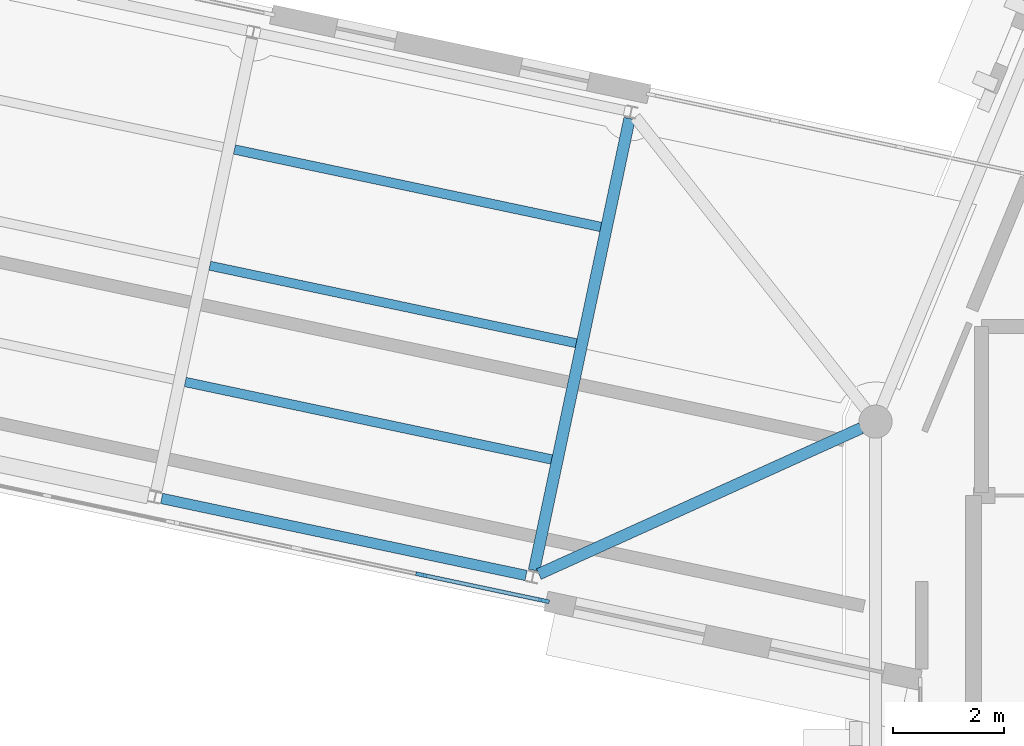
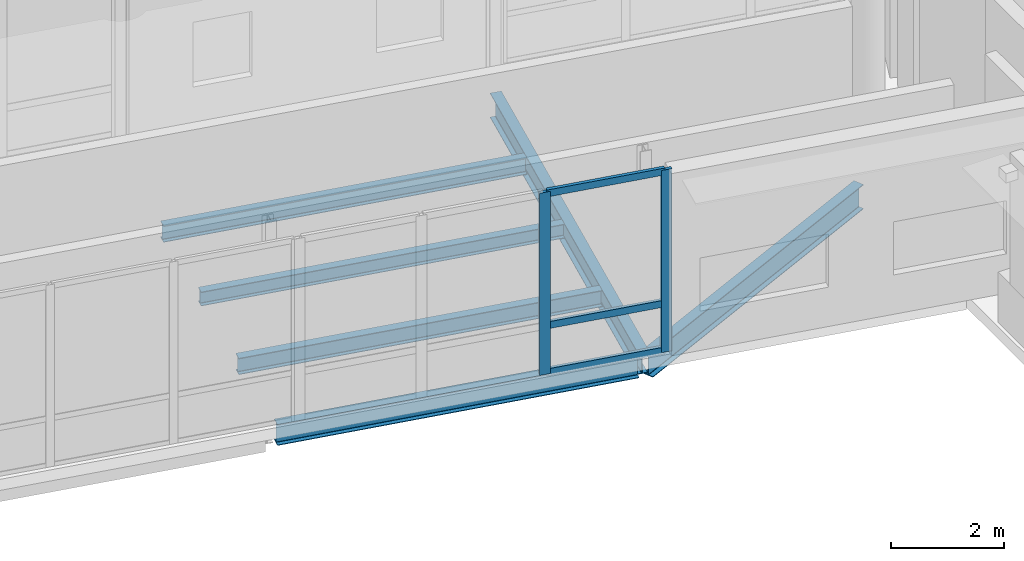
# One storey, part 35 of 125: 6 beams, 5 members, 1 element without a shape of its own.
"""IFC4 building model written with IfcOpenShell, lengths in metres."""

from ifc_helpers import new_model, si_unit, direction, frame, origin, origin_2d, place, context, subcontext, project, spatial, rectangle, i_section, extrude, material, material_profile, profile_set, type_object, element, aggregate, save


model = new_model("IFC4")

# Units and contexts
model_context = context("Model", 3, precision=1e-05, world=origin(), true_north=direction((0.0, 1.0)))
body_context = subcontext(model_context, "Body", "Model", "MODEL_VIEW")
ifc_project = project(units=[si_unit("LENGTHUNIT", "METRE"), si_unit("AREAUNIT", "SQUARE_METRE"), si_unit("VOLUMEUNIT", "CUBIC_METRE"), si_unit("PLANEANGLEUNIT", "RADIAN"), si_unit("MASSUNIT", "GRAM", prefix="KILO")], contexts=[model_context])

# Site, building, storey
site_placement = place(None, origin())
site = spatial("IfcSite", under=ifc_project, at=site_placement, CompositionType="ELEMENT")
building_placement = place(site_placement, origin())
building = spatial("IfcBuilding", under=site, at=building_placement, Name="Wrenclough Park School", CompositionType="ELEMENT")
storey_placement = place(building_placement, frame((0.0, 0.0, 4.199951171875)))
storey = spatial("IfcBuildingStorey", under=building, at=storey_placement, Name="L01", CompositionType="ELEMENT", Elevation=4.199951171875)

# Curtain wall, members
ifc_material_1 = material(Name="Thermally broken aluminium and low-e glass curtain wall", Category="aluminium")
curtain_wall_type = type_object("IfcCurtainWallType", Name="ENV-CW-04", PredefinedType="USERDEFINED", material=ifc_material_1)
curtain_wall_placement = place(storey_placement, origin())
curtain_wall = element("IfcCurtainWall", 1, at=curtain_wall_placement, inside=storey, type_object=curtain_wall_type, Name="L01 recessed curtain wall assembly 131", ObjectType="CURTAIN WALL", PredefinedType="USERDEFINED")
ifc_material_2 = material(Name="Thermally broken anodised aluminium", Category="aluminium")
ifc_material_profile_1 = material_profile(ifc_material_2, rectangle(XDim=0.070068359375, YDim=0.199951171875, at=origin_2d()), Name="AL MULLION 70x200")
ifc_profile_set_1 = profile_set([ifc_material_profile_1], Name="Thermally broken anodised aluminium")
member_type_1 = type_object("IfcMemberType", Name="ENV-CWM-3", PredefinedType="MULLION", material=ifc_profile_set_1)
member_1_placement = place(storey_placement, frame((127.48046875, 27.639404296875, 0.0), z_axis=(0.0, 0.0, 1.0), x_axis=(-0.206817690897, -0.97837949832, 0.0)))
member_1 = element("IfcMember", 2, at=member_1_placement, type_object=member_type_1, Name="CW-04 mullion 1", PredefinedType="MULLION", context=body_context, shape_type="SweptSolid", body=[
    extrude(rectangle(XDim=0.070068359375, YDim=0.199951171875, at=origin_2d()), origin(), (0.0, 0.0, 1.0), 3.93994140625),
])
member_2_placement = place(storey_placement, frame((125.260986328125, 28.108642578125, 0.0), z_axis=(0.0, 0.0, 1.0), x_axis=(-0.206817690897, -0.97837949832, 0.0)))
member_2 = element("IfcMember", 3, at=member_2_placement, type_object=member_type_1, Name="CW-04 mullion 2", PredefinedType="MULLION", context=body_context, shape_type="SweptSolid", body=[
    extrude(rectangle(XDim=0.070068359375, YDim=0.199951171875, at=origin_2d()), origin(), (0.0, 0.0, 1.0), 3.93994140625),
])
ifc_material_profile_2 = material_profile(ifc_material_2, rectangle(XDim=0.070068359375, YDim=0.14990234375, at=origin_2d()), Name="AL TRANSOM 70x150")
ifc_profile_set_2 = profile_set([ifc_material_profile_2], Name="Thermally broken anodised aluminium")
member_type_2 = type_object("IfcMemberType", Name="ENV-CWT-3", PredefinedType="USERDEFINED", material=ifc_profile_set_2)
member_3_placement = place(storey_placement, frame((127.4462890625, 27.646728515625, 0.03515625), z_axis=(-0.978391623519, 0.206760322664, 0.0), x_axis=(-0.206760322664, -0.978391623519, 0.0)))
member_3 = element("IfcMember", 4, at=member_3_placement, type_object=member_type_2, Name="CW-04 transom 1.1", ObjectType="TRANSOM", PredefinedType="USERDEFINED", context=body_context, shape_type="SweptSolid", body=[
    extrude(rectangle(XDim=0.070068359375, YDim=0.14990234375, at=origin_2d()), origin(), (0.0, 0.0, 1.0), 2.19873046875),
])
member_4_placement = place(storey_placement, frame((127.4462890625, 27.646728515625, 1.050048828125), z_axis=(-0.978391623519, 0.206760322664, 0.0), x_axis=(-0.206760322664, -0.978391623519, 0.0)))
member_4 = element("IfcMember", 5, at=member_4_placement, type_object=member_type_2, Name="CW-04 transom 1.2", ObjectType="TRANSOM", PredefinedType="USERDEFINED", context=body_context, shape_type="SweptSolid", body=[
    extrude(rectangle(XDim=0.070068359375, YDim=0.14990234375, at=origin_2d()), origin(), (0.0, 0.0, 1.0), 2.19873046875),
])
member_5_placement = place(storey_placement, frame((127.4462890625, 27.646728515625, 3.905029296875), z_axis=(-0.978391623519, 0.206760322664, 0.0), x_axis=(-0.206760322664, -0.978391623519, 0.0)))
member_5 = element("IfcMember", 6, at=member_5_placement, type_object=member_type_2, Name="CW-04 transom 1.3", ObjectType="TRANSOM", PredefinedType="USERDEFINED", context=body_context, shape_type="SweptSolid", body=[
    extrude(rectangle(XDim=0.070068359375, YDim=0.14990234375, at=origin_2d()), origin(), (0.0, 0.0, 1.0), 2.19873046875),
])
aggregate(curtain_wall, [member_1, member_2, member_3, member_4, member_5])

# Beams
ifc_material_3 = material(Name="Structural steel S355", Category="steel")
ifc_material_profile_3 = material_profile(ifc_material_3, i_section(OverallWidth=0.1650390625, OverallDepth=0.303466796875, WebThickness=0.006103515625, FlangeThickness=0.01025390625, FilletRadius=0.0087890625, at=origin_2d()), Name="UKB 305x165x40")
ifc_profile_set_3 = profile_set([ifc_material_profile_3], Name="Structural steel S355")
beam_type_1 = type_object("IfcBeamType", Name="STR-BM-UKB305", PredefinedType="JOIST", material=ifc_profile_set_3)
beam_1_placement = place(storey_placement, frame((121.435791015625, 33.70068359375, -0.3916015625), z_axis=(0.978373550445, -0.206845826135, 0.0), x_axis=(0.206845826135, 0.978373550445, 0.0)))
element("IfcBeam", 7, at=beam_1_placement, inside=storey, type_object=beam_type_1, Name="W12 L01 secondary floor joist 0023", PredefinedType="JOIST", context=body_context, shape_type="SweptSolid", body=[
    extrude(i_section(OverallWidth=0.1650390625, OverallDepth=0.303466796875, WebThickness=0.006103515625, FlangeThickness=0.01025390625, FilletRadius=0.0087890625, at=origin_2d()), origin(), (0.0, 0.0, 1.0), 6.77490234375),
])
ifc_material_profile_4 = material_profile(ifc_material_3, i_section(OverallWidth=0.17138671875, OverallDepth=0.35498046875, WebThickness=0.00732421875, FlangeThickness=0.011474609375, FilletRadius=0.01025390625, at=origin_2d()), Name="UKB 356x171x51")
ifc_profile_set_4 = profile_set([ifc_material_profile_4], Name="Structural steel S355")
beam_type_2 = type_object("IfcBeamType", Name="STR-BM-UKB356", PredefinedType="JOIST", material=ifc_profile_set_4)
for number, where, z_axis, x_axis, name in (
    (8, (121.88037109375, 35.80419921875, -0.41748046875), (0.978375092165, -0.20683853372, 0.0), (0.20683853372, 0.978375092165, 0.0), "W12 L01 secondary floor joist 0022"),
    (9, (120.990966796875, 31.59716796875, -0.41748046875), (0.978375092165, -0.20683853372, 0.0), (0.20683853372, 0.978375092165, 0.0), "W12 L01 secondary floor joist 0024"),
):
    element("IfcBeam", number, at=place(storey_placement, frame(where, z_axis=z_axis, x_axis=x_axis)), inside=storey, type_object=beam_type_2, Name=name, PredefinedType="JOIST", context=body_context, shape_type="SweptSolid", body=[
        extrude(i_section(OverallWidth=0.17138671875, OverallDepth=0.35498046875, WebThickness=0.00732421875, FlangeThickness=0.011474609375, FilletRadius=0.01025390625, at=origin_2d()), origin(), (0.0, 0.0, 1.0), 6.775146484375),
    ])
ifc_material_profile_5 = material_profile(ifc_material_3, i_section(OverallWidth=0.18994140625, OverallDepth=0.453369140625, WebThickness=0.008544921875, FlangeThickness=0.0126953125, FilletRadius=0.01025390625, at=origin_2d()), Name="UKB 457x191x67")
ifc_profile_set_5 = profile_set([ifc_material_profile_5], Name="Structural steel S355")
beam_type_3 = type_object("IfcBeamType", Name="STR-BM-UKB457A", PredefinedType="BEAM", material=ifc_profile_set_5)
beam_2_placement = place(storey_placement, frame((120.563720703125, 29.489990234375, -0.466552734375), z_axis=(0.97837494367, -0.20683923612, 0.0), x_axis=(0.20683923612, 0.97837494367, 0.0)))
element("IfcBeam", 10, at=beam_2_placement, inside=storey, type_object=beam_type_3, Name="W12 L01 longitudinal edge beam R4", PredefinedType="BEAM", context=body_context, shape_type="SweptSolid", body=[
    extrude(i_section(OverallWidth=0.18994140625, OverallDepth=0.453369140625, WebThickness=0.008544921875, FlangeThickness=0.0126953125, FilletRadius=0.01025390625, at=origin_2d()), origin(), (0.0, 0.0, 1.0), 6.73974609375),
])
ifc_material_profile_6 = material_profile(ifc_material_3, i_section(OverallWidth=0.209228515625, OverallDepth=0.533203125, WebThickness=0.010009765625, FlangeThickness=0.015625, FilletRadius=0.0126953125, at=origin_2d()), Name="UKB 533x210x92")
ifc_profile_set_6 = profile_set([ifc_material_profile_6], Name="Structural steel S355")
beam_type_4 = type_object("IfcBeamType", Name="STR-BM-UKB533A", PredefinedType="BEAM", material=ifc_profile_set_6)
beam_3_placement = place(storey_placement, frame((129.03076171875, 36.365234375, -0.506591796875), z_axis=(-0.206808534812, -0.978381433761, 0.0), x_axis=(0.978381433761, -0.206808534812, 0.0)))
element("IfcBeam", 11, at=beam_3_placement, inside=storey, type_object=beam_type_4, Name="W12 L01 transverse floor beam 5", PredefinedType="BEAM", context=body_context, shape_type="SweptSolid", body=[
    extrude(i_section(OverallWidth=0.209228515625, OverallDepth=0.533203125, WebThickness=0.010009765625, FlangeThickness=0.015625, FilletRadius=0.0126953125, at=origin_2d()), origin(), (0.0, 0.0, 1.0), 8.355712890625),
])
beam_4_placement = place(storey_placement, frame((127.388671875, 28.12109375, -0.531494140625), z_axis=(0.910969054952, 0.412474703371, 0.0), x_axis=(-0.412474703371, 0.910969054952, 0.0)))
element("IfcBeam", 12, at=beam_4_placement, inside=storey, type_object=beam_type_4, Name="W12 L01 drum junction tie beam 7", PredefinedType="BEAM", context=body_context, shape_type="SweptSolid", body=[
    extrude(i_section(OverallWidth=0.209228515625, OverallDepth=0.533203125, WebThickness=0.010009765625, FlangeThickness=0.015625, FilletRadius=0.0126953125, at=origin_2d()), origin(), (0.0, 0.0, 1.0), 6.400146484375),
])

save(model, "model.ifc")
